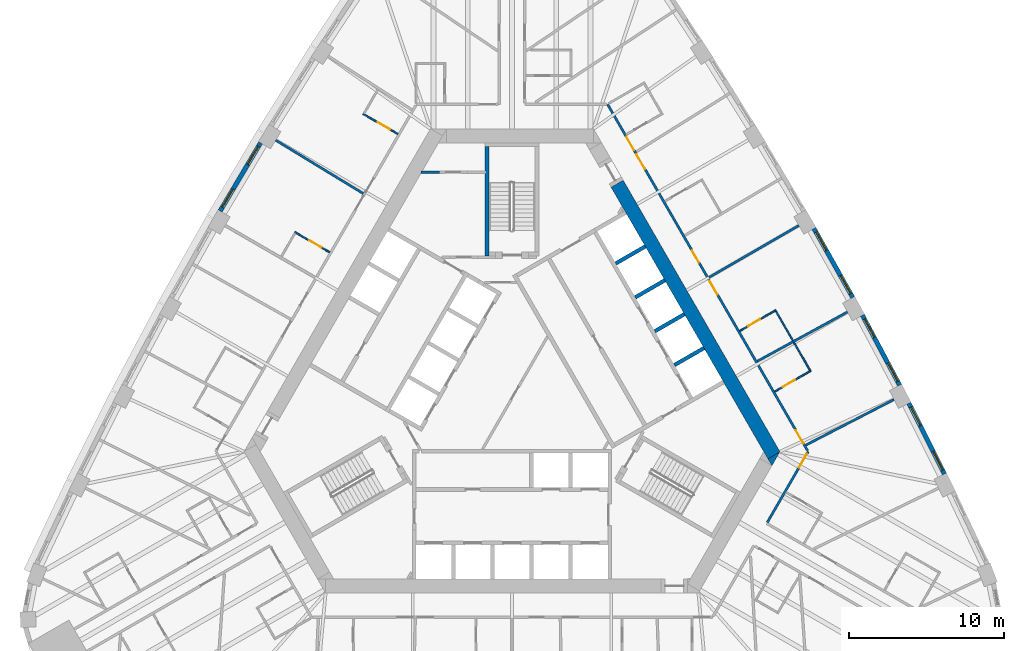
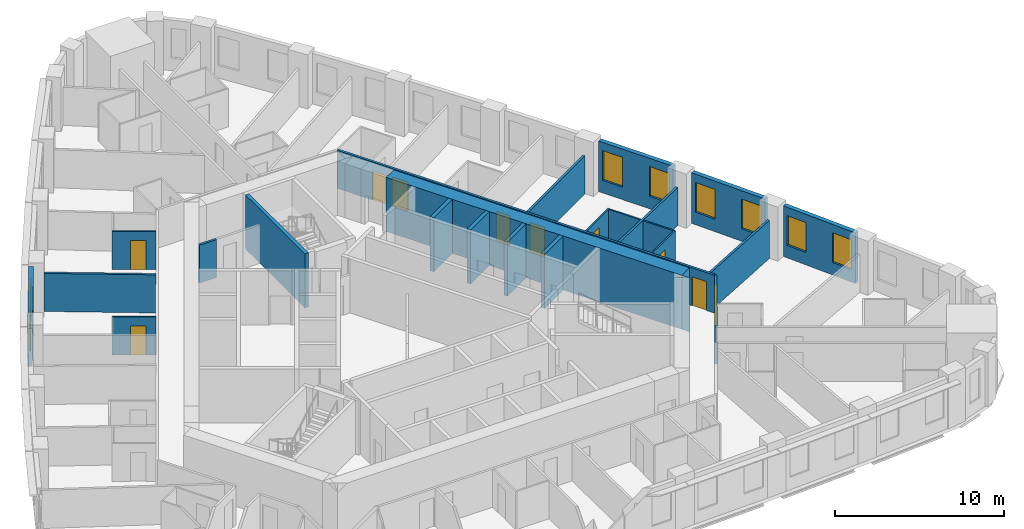
# One storey, part 9 of 13: 24 walls, 10 doors, 8 windows, 18 openings.
"""IFC4 building model written with IfcOpenShell, lengths in metres."""

from ifc_helpers import new_model, si_unit, direction, frame, frame_2d, origin, place, context, subcontext, project, spatial, polyline, rectangle, outline, extrude, material, layer, layer_set, type_object, element, fill, save


model = new_model("IFC4")

# Units and contexts
model_context = context("Model", 3, precision=1e-05, world=origin(), true_north=direction((0.0, 1.0)))
body_context = subcontext(model_context, "Body", "Model", "MODEL_VIEW")
ifc_project = project(units=[si_unit("LENGTHUNIT", "METRE"), si_unit("AREAUNIT", "SQUARE_METRE"), si_unit("VOLUMEUNIT", "CUBIC_METRE"), si_unit("PLANEANGLEUNIT", "RADIAN"), si_unit("MASSUNIT", "GRAM", prefix="KILO")], contexts=[model_context])

# Site, building, storey
site_placement = place(None, origin())
site = spatial("IfcSite", under=ifc_project, at=site_placement, CompositionType="ELEMENT")
building_placement = place(site_placement, origin())
building = spatial("IfcBuilding", under=site, at=building_placement, Name="Mestral Congress Tower", CompositionType="ELEMENT")
storey_placement = place(building_placement, frame((0.0, 0.0, 87.60009765625)))
storey = spatial("IfcBuildingStorey", under=building, at=storey_placement, Name="L20", CompositionType="ELEMENT", Elevation=87.60009765625)

# Walls
ifc_material_1 = material(Name="Fire-rated board partition")
ifc_layer_1 = layer(ifc_material_1, 0.14990234375)
ifc_layer_set_1 = layer_set([ifc_layer_1], Name="Fire-rated board partition")
wall_type_1 = type_object("IfcWallType", Name="Core partition 150", PredefinedType="PARTITIONING", material=ifc_layer_set_1)
wall_1_placement = place(storey_placement, frame((-5.85107421875, 14.10205078125, 0.0), z_axis=(0.0, 0.0, 1.0), x_axis=(1.0, 0.0, 0.0)))
element("IfcWall", 1, at=wall_1_placement, inside=storey, type_object=wall_type_1, Name="L20 core wall", PredefinedType="PARTITIONING", context=body_context, shape_type="SweptSolid", body=[
    extrude(rectangle(XDim=1.18017578125, YDim=0.14990234375, at=frame_2d((0.590087890625, 0.0))), origin(), (0.0, 0.0, 1.0), 2.75),
])
ifc_material_2 = material(Name="Concrete C60/75", Category="concrete")
ifc_layer_2 = layer(ifc_material_2, 0.89990234375)
ifc_layer_set_2 = layer_set([ifc_layer_2], Name="Concrete C60/75")
wall_type_2 = type_object("IfcWallType", Name="Core wall RC 900", PredefinedType="SOLIDWALL", material=ifc_layer_set_2)
wall_2_placement = place(storey_placement, frame((6.77587890625, 13.36376953125, 0.0), z_axis=(0.0, 0.0, 1.0), x_axis=(0.500004177138, -0.8660229921, 0.0)))
element("IfcWall", 2, at=wall_2_placement, inside=storey, type_object=wall_type_2, Name="L20 core wall", PredefinedType="SOLIDWALL", context=body_context, shape_type="SweptSolid", body=[
    extrude(rectangle(XDim=20.203857421875, YDim=0.89990234375, at=frame_2d((10.10205078125, 0.0))), origin(), (0.0, 0.0, 1.0), 3.89990234375),
])
wall_3_placement = place(storey_placement, origin())
element("IfcWall", 3, at=wall_3_placement, inside=storey, type_object=wall_type_2, Name="L20 core wall", PredefinedType="SOLIDWALL", context=body_context, shape_type="SweptSolid", body=[
    extrude(outline(polyline([(16.7431640625, -4.800048828125), (16.4892578125, -4.360107421875), (17.251220703125, -3.920166015625), (16.7431640625, -4.800048828125)])), origin(), (0.0, 0.0, 1.0), 3.89990234375),
])

# Wall, openings, windows
ifc_material_3 = material(Name="Precast concrete C40/50 with limestone facing", Category="masonry")
ifc_layer_3 = layer(ifc_material_3, 0.2900390625)
ifc_layer_set_3 = layer_set([ifc_layer_3], Name="Precast concrete C40/50 with limestone facing")
wall_type_3 = type_object("IfcWallType", Name="Facade stone wall 290", PredefinedType="SOLIDWALL", material=ifc_layer_set_3)
wall_4_placement = place(storey_placement, frame((27.864013671875, -5.336181640625, 0.0), z_axis=(0.0, 0.0, 1.0), x_axis=(-0.448534297211, 0.893765620409, 0.0)))
wall_4 = element("IfcWall", 4, at=wall_4_placement, inside=storey, type_object=wall_type_3, Name="Facade wall F1-01", PredefinedType="SOLIDWALL", context=body_context, shape_type="SweptSolid", body=[
    extrude(rectangle(XDim=5.10009765625, YDim=0.2900390625, at=frame_2d((2.550048828125, 0.0))), origin(), (0.0, 0.0, 1.0), 3.64990234375),
])
opening_1_placement = place(wall_4_placement, frame((0.2724609375, 0.0, 0.89990234375)))
opening_1 = element("IfcOpeningElement", 5, at=opening_1_placement, cuts=wall_4, Name="Opening W2", PredefinedType="OPENING", context=body_context, shape_type="SweptSolid", body=[
    extrude(rectangle(XDim=1.35009765625, YDim=2.14990234375, at=frame_2d((0.675048828125, 1.074951171875))), frame((0.0, 0.155029296875, 0.0), z_axis=(0.0, -1.0, 0.0), x_axis=(1.0, 0.0, 0.0)), (0.0, 0.0, 1.0), 0.31005859375),
])
opening_2_placement = place(wall_4_placement, frame((3.477783203125, 0.0, 0.89990234375)))
opening_2 = element("IfcOpeningElement", 6, at=opening_2_placement, cuts=wall_4, Name="Opening W2", PredefinedType="OPENING", context=body_context, shape_type="SweptSolid", body=[
    extrude(rectangle(XDim=1.35009765625, YDim=2.14990234375, at=frame_2d((0.675048828125, 1.074951171875))), frame((0.0, 0.155029296875, 0.0), z_axis=(0.0, -1.0, 0.0), x_axis=(1.0, 0.0, 0.0)), (0.0, 0.0, 1.0), 0.31005859375),
])
ifc_material_4 = material(Name="Clear low-emissivity double glazing", Category="glass")
window_type = type_object("IfcWindowType", Name="Facade punched window 1350 x 2150 sill 900", PartitioningType="DOUBLE_PANEL_VERTICAL", PredefinedType="WINDOW", material=ifc_material_4)
window_1_placement = place(opening_1_placement, origin())
window_1 = element("IfcWindow", 7, at=window_1_placement, inside=storey, type_object=window_type, Name="Window F1-01a", OverallHeight=2.14990234375, OverallWidth=1.35009765625, PartitioningType="DOUBLE_PANEL_VERTICAL", PredefinedType="WINDOW", context=body_context, shape_type="SweptSolid", body=[
    extrude(rectangle(XDim=1.35009765625, YDim=2.14990234375, at=frame_2d((0.675048828125, 1.074951171875))), frame((0.0, 0.01513671875, 0.0), z_axis=(0.0, -1.0, 0.0), x_axis=(1.0, 0.0, 0.0)), (0.0, 0.0, 1.0), 0.06005859375),
])
fill(opening_1, window_1)
window_2_placement = place(opening_2_placement, origin())
window_2 = element("IfcWindow", 8, at=window_2_placement, inside=storey, type_object=window_type, Name="Window F1-01b", OverallHeight=2.14990234375, OverallWidth=1.35009765625, PartitioningType="DOUBLE_PANEL_VERTICAL", PredefinedType="WINDOW", context=body_context, shape_type="SweptSolid", body=[
    extrude(rectangle(XDim=1.35009765625, YDim=2.14990234375, at=frame_2d((0.675048828125, 1.074951171875))), frame((0.0, 0.01513671875, 0.0), z_axis=(0.0, -1.0, 0.0), x_axis=(1.0, 0.0, 0.0)), (0.0, 0.0, 1.0), 0.06005859375),
])
fill(opening_2, window_2)

wall_5_placement = place(storey_placement, frame((24.976806640625, 0.3828125, 0.0), z_axis=(0.0, 0.0, 1.0), x_axis=(-0.469323203119, 0.883026461106, 0.0)))
wall_5 = element("IfcWall", 9, at=wall_5_placement, inside=storey, type_object=wall_type_3, Name="Facade wall F1-02", PredefinedType="SOLIDWALL", context=body_context, shape_type="SweptSolid", body=[
    extrude(rectangle(XDim=5.1005859375, YDim=0.2900390625, at=frame_2d((2.55029296875, 0.0))), origin(), (0.0, 0.0, 1.0), 3.64990234375),
])
opening_3_placement = place(wall_5_placement, frame((0.272705078125, 0.0, 0.89990234375)))
opening_3 = element("IfcOpeningElement", 10, at=opening_3_placement, cuts=wall_5, Name="Opening W2", PredefinedType="OPENING", context=body_context, shape_type="SweptSolid", body=[
    extrude(rectangle(XDim=1.35009765625, YDim=2.14990234375, at=frame_2d((0.675048828125, 1.074951171875))), frame((0.0, 0.155029296875, 0.0), z_axis=(0.0, -1.0, 0.0), x_axis=(1.0, 0.0, 0.0)), (0.0, 0.0, 1.0), 0.31005859375),
])
opening_4_placement = place(wall_5_placement, frame((3.477783203125, 0.0, 0.89990234375)))
opening_4 = element("IfcOpeningElement", 11, at=opening_4_placement, cuts=wall_5, Name="Opening W2", PredefinedType="OPENING", context=body_context, shape_type="SweptSolid", body=[
    extrude(rectangle(XDim=1.35009765625, YDim=2.14990234375, at=frame_2d((0.675048828125, 1.074951171875))), frame((0.0, 0.155029296875, 0.0), z_axis=(0.0, -1.0, 0.0), x_axis=(1.0, 0.0, 0.0)), (0.0, 0.0, 1.0), 0.31005859375),
])
window_3_placement = place(opening_3_placement, origin())
window_3 = element("IfcWindow", 12, at=window_3_placement, inside=storey, type_object=window_type, Name="Window F1-02a", OverallHeight=2.14990234375, OverallWidth=1.35009765625, PartitioningType="DOUBLE_PANEL_VERTICAL", PredefinedType="WINDOW", context=body_context, shape_type="SweptSolid", body=[
    extrude(rectangle(XDim=1.35009765625, YDim=2.14990234375, at=frame_2d((0.675048828125, 1.074951171875))), frame((0.0, 0.01513671875, 0.0), z_axis=(0.0, -1.0, 0.0), x_axis=(1.0, 0.0, 0.0)), (0.0, 0.0, 1.0), 0.06005859375),
])
fill(opening_3, window_3)
window_4_placement = place(opening_4_placement, origin())
window_4 = element("IfcWindow", 13, at=window_4_placement, inside=storey, type_object=window_type, Name="Window F1-02b", OverallHeight=2.14990234375, OverallWidth=1.35009765625, PartitioningType="DOUBLE_PANEL_VERTICAL", PredefinedType="WINDOW", context=body_context, shape_type="SweptSolid", body=[
    extrude(rectangle(XDim=1.35009765625, YDim=2.14990234375, at=frame_2d((0.675048828125, 1.074951171875))), frame((0.0, 0.01513671875, 0.0), z_axis=(0.0, -1.0, 0.0), x_axis=(1.0, 0.0, 0.0)), (0.0, 0.0, 1.0), 0.06005859375),
])
fill(opening_4, window_4)

wall_6_placement = place(storey_placement, frame((21.956298828125, 6.033203125, 0.0), z_axis=(0.0, 0.0, 1.0), x_axis=(-0.48983164787, 0.87181704316, 0.0)))
wall_6 = element("IfcWall", 14, at=wall_6_placement, inside=storey, type_object=wall_type_3, Name="Facade wall F1-03", PredefinedType="SOLIDWALL", context=body_context, shape_type="SweptSolid", body=[
    extrude(rectangle(XDim=5.100341796875, YDim=0.2900390625, at=frame_2d((2.55029296875, 0.0))), origin(), (0.0, 0.0, 1.0), 3.64990234375),
])
opening_5_placement = place(wall_6_placement, frame((0.272705078125, 0.0, 0.89990234375)))
opening_5 = element("IfcOpeningElement", 15, at=opening_5_placement, cuts=wall_6, Name="Opening W2", PredefinedType="OPENING", context=body_context, shape_type="SweptSolid", body=[
    extrude(rectangle(XDim=1.35009765625, YDim=2.14990234375, at=frame_2d((0.675048828125, 1.074951171875))), frame((0.0, 0.155029296875, 0.0), z_axis=(0.0, -1.0, 0.0), x_axis=(1.0, 0.0, 0.0)), (0.0, 0.0, 1.0), 0.31005859375),
])
opening_6_placement = place(wall_6_placement, frame((3.477783203125, 0.0, 0.89990234375)))
opening_6 = element("IfcOpeningElement", 16, at=opening_6_placement, cuts=wall_6, Name="Opening W2", PredefinedType="OPENING", context=body_context, shape_type="SweptSolid", body=[
    extrude(rectangle(XDim=1.35009765625, YDim=2.14990234375, at=frame_2d((0.675048828125, 1.074951171875))), frame((0.0, 0.155029296875, 0.0), z_axis=(0.0, -1.0, 0.0), x_axis=(1.0, 0.0, 0.0)), (0.0, 0.0, 1.0), 0.31005859375),
])
window_5_placement = place(opening_5_placement, origin())
window_5 = element("IfcWindow", 17, at=window_5_placement, inside=storey, type_object=window_type, Name="Window F1-03a", OverallHeight=2.14990234375, OverallWidth=1.35009765625, PartitioningType="DOUBLE_PANEL_VERTICAL", PredefinedType="WINDOW", context=body_context, shape_type="SweptSolid", body=[
    extrude(rectangle(XDim=1.35009765625, YDim=2.14990234375, at=frame_2d((0.675048828125, 1.074951171875))), frame((0.0, 0.01513671875, 0.0), z_axis=(0.0, -1.0, 0.0), x_axis=(1.0, 0.0, 0.0)), (0.0, 0.0, 1.0), 0.06005859375),
])
fill(opening_5, window_5)
window_6_placement = place(opening_6_placement, origin())
window_6 = element("IfcWindow", 18, at=window_6_placement, inside=storey, type_object=window_type, Name="Window F1-03b", OverallHeight=2.14990234375, OverallWidth=1.35009765625, PartitioningType="DOUBLE_PANEL_VERTICAL", PredefinedType="WINDOW", context=body_context, shape_type="SweptSolid", body=[
    extrude(rectangle(XDim=1.35009765625, YDim=2.14990234375, at=frame_2d((0.675048828125, 1.074951171875))), frame((0.0, 0.01513671875, 0.0), z_axis=(0.0, -1.0, 0.0), x_axis=(1.0, 0.0, 0.0)), (0.0, 0.0, 1.0), 0.06005859375),
])
fill(opening_6, window_6)

wall_7_placement = place(storey_placement, frame((-16.203125, 15.998291015625, 0.0), z_axis=(0.0, 0.0, 1.0), x_axis=(-0.510054281659, -0.860142214847, 0.0)))
wall_7 = element("IfcWall", 19, at=wall_7_placement, inside=storey, type_object=wall_type_3, Name="Facade wall F2-03", PredefinedType="SOLIDWALL", context=body_context, shape_type="SweptSolid", body=[
    extrude(rectangle(XDim=5.1005859375, YDim=0.2900390625, at=frame_2d((2.55029296875, 0.0))), origin(), (0.0, 0.0, 1.0), 3.64990234375),
])
opening_7_placement = place(wall_7_placement, frame((0.272705078125, 0.0, 0.89990234375)))
opening_7 = element("IfcOpeningElement", 20, at=opening_7_placement, cuts=wall_7, Name="Opening W2", PredefinedType="OPENING", context=body_context, shape_type="SweptSolid", body=[
    extrude(rectangle(XDim=1.35009765625, YDim=2.14990234375, at=frame_2d((0.675048828125, 1.074951171875))), frame((0.0, 0.155029296875, 0.0), z_axis=(0.0, -1.0, 0.0), x_axis=(1.0, 0.0, 0.0)), (0.0, 0.0, 1.0), 0.31005859375),
])
opening_8_placement = place(wall_7_placement, frame((3.477783203125, 0.0, 0.89990234375)))
opening_8 = element("IfcOpeningElement", 21, at=opening_8_placement, cuts=wall_7, Name="Opening W2", PredefinedType="OPENING", context=body_context, shape_type="SweptSolid", body=[
    extrude(rectangle(XDim=1.35009765625, YDim=2.14990234375, at=frame_2d((0.675048828125, 1.074951171875))), frame((0.0, 0.155029296875, 0.0), z_axis=(0.0, -1.0, 0.0), x_axis=(1.0, 0.0, 0.0)), (0.0, 0.0, 1.0), 0.31005859375),
])
window_7_placement = place(opening_7_placement, origin())
window_7 = element("IfcWindow", 22, at=window_7_placement, inside=storey, type_object=window_type, Name="Window F2-03a", OverallHeight=2.14990234375, OverallWidth=1.35009765625, PartitioningType="DOUBLE_PANEL_VERTICAL", PredefinedType="WINDOW", context=body_context, shape_type="SweptSolid", body=[
    extrude(rectangle(XDim=1.35009765625, YDim=2.14990234375, at=frame_2d((0.675048828125, 1.074951171875))), frame((0.0, 0.01513671875, 0.0), z_axis=(0.0, -1.0, 0.0), x_axis=(1.0, 0.0, 0.0)), (0.0, 0.0, 1.0), 0.06005859375),
])
fill(opening_7, window_7)
window_8_placement = place(opening_8_placement, origin())
window_8 = element("IfcWindow", 23, at=window_8_placement, inside=storey, type_object=window_type, Name="Window F2-03b", OverallHeight=2.14990234375, OverallWidth=1.35009765625, PartitioningType="DOUBLE_PANEL_VERTICAL", PredefinedType="WINDOW", context=body_context, shape_type="SweptSolid", body=[
    extrude(rectangle(XDim=1.35009765625, YDim=2.14990234375, at=frame_2d((0.675048828125, 1.074951171875))), frame((0.0, 0.01513671875, 0.0), z_axis=(0.0, -1.0, 0.0), x_axis=(1.0, 0.0, 0.0)), (0.0, 0.0, 1.0), 0.06005859375),
])
fill(opening_8, window_8)

# Wall, opening, door
ifc_material_5 = material(Name="Gypsum board partition on metal studs with mineral wool", Category="composite")
ifc_layer_4 = layer(ifc_material_5, 0.10009765625)
ifc_layer_set_4 = layer_set([ifc_layer_4], Name="Gypsum board partition on metal studs with mineral wool")
wall_type_4 = type_object("IfcWallType", Name="Hotel partition wall 100", PredefinedType="PARTITIONING", material=ifc_layer_set_4)
wall_8_placement = place(storey_placement, frame((16.931396484375, -0.02587890625, 0.0), z_axis=(0.0, 0.0, 1.0), x_axis=(0.866059108428, 0.4999416173, 0.0)))
wall_8 = element("IfcWall", 24, at=wall_8_placement, inside=storey, type_object=wall_type_4, Name="L20-h-pod12a", PredefinedType="PARTITIONING", context=body_context, shape_type="SweptSolid", body=[
    extrude(rectangle(XDim=2.699951171875, YDim=0.10009765625, at=frame_2d((1.35009765625, 0.0))), origin(), (0.0, 0.0, 1.0), 2.75),
])
opening_9_placement = place(wall_8_placement, frame((0.60009765625, 0.0, 0.0)))
opening_9 = element("IfcOpeningElement", 25, at=opening_9_placement, cuts=wall_8, Name="Opening H06-023", PredefinedType="OPENING", context=body_context, shape_type="SweptSolid", body=[
    extrude(rectangle(XDim=0.89990234375, YDim=2.10009765625, at=frame_2d((0.449951171875, 1.050048828125))), frame((0.0, 0.06005859375, 0.0), z_axis=(0.0, -1.0, 0.0), x_axis=(1.0, 0.0, 0.0)), (0.0, 0.0, 1.0), 0.1201171875),
])
ifc_material_6 = material(Name="Timber veneer door leaf in timber frame", Category="wood")
door_type_1 = type_object("IfcDoorType", Name="Bathroom door 900", OperationType="SINGLE_SWING_LEFT", PredefinedType="DOOR", material=ifc_material_6)
door_1_placement = place(opening_9_placement, origin())
door_1 = element("IfcDoor", 26, at=door_1_placement, inside=storey, type_object=door_type_1, Name="L20-h-d023", OperationType="SINGLE_SWING_RIGHT", OverallHeight=2.10009765625, OverallWidth=0.89990234375, PredefinedType="DOOR", context=body_context, shape_type="SweptSolid", body=[
    extrude(rectangle(XDim=0.89990234375, YDim=2.10009765625, at=frame_2d((0.449951171875, 1.050048828125))), frame((0.0, 0.02490234375, 0.0), z_axis=(0.0, -1.0, 0.0), x_axis=(1.0, 0.0, 0.0)), (0.0, 0.0, 1.0), 0.050048828125),
])
fill(opening_9, door_1)

# Wall
wall_9_placement = place(storey_placement, frame((19.1962890625, 1.350830078125, 0.0), z_axis=(0.0, 0.0, 1.0), x_axis=(-0.499956128963, 0.866050731258, 0.0)))
element("IfcWall", 27, at=wall_9_placement, inside=storey, type_object=wall_type_4, Name="L20-h-pod12b", PredefinedType="PARTITIONING", context=body_context, shape_type="SweptSolid", body=[
    extrude(rectangle(XDim=2.050048828125, YDim=0.10009765625, at=frame_2d((1.02490234375, 0.0))), origin(), (0.0, 0.0, 1.0), 2.75),
])

# Wall, opening, door
wall_10_placement = place(storey_placement, frame((17.015625, 5.22802734375, 0.0), z_axis=(0.0, 0.0, 1.0), x_axis=(-0.86599734893, -0.500048589285, 0.0)))
wall_10 = element("IfcWall", 28, at=wall_10_placement, inside=storey, type_object=wall_type_4, Name="L20-h-pod13a", PredefinedType="PARTITIONING", context=body_context, shape_type="SweptSolid", body=[
    extrude(rectangle(XDim=2.699951171875, YDim=0.10009765625, at=frame_2d((1.35009765625, 0.0))), origin(), (0.0, 0.0, 1.0), 2.75),
])
opening_10_placement = place(wall_10_placement, frame((1.199951171875, 0.0, 0.0)))
opening_10 = element("IfcOpeningElement", 29, at=opening_10_placement, cuts=wall_10, Name="Opening H06-025", PredefinedType="OPENING", context=body_context, shape_type="SweptSolid", body=[
    extrude(rectangle(XDim=0.89990234375, YDim=2.10009765625, at=frame_2d((0.449951171875, 1.050048828125))), frame((0.0, 0.06005859375, 0.0), z_axis=(0.0, -1.0, 0.0), x_axis=(1.0, 0.0, 0.0)), (0.0, 0.0, 1.0), 0.1201171875),
])
door_2_placement = place(opening_10_placement, origin())
door_2 = element("IfcDoor", 30, at=door_2_placement, inside=storey, type_object=door_type_1, Name="L20-h-d025", OperationType="SINGLE_SWING_LEFT", OverallHeight=2.10009765625, OverallWidth=0.89990234375, PredefinedType="DOOR", context=body_context, shape_type="SweptSolid", body=[
    extrude(rectangle(XDim=0.89990234375, YDim=2.10009765625, at=frame_2d((0.449951171875, 1.050048828125))), frame((0.0, 0.02490234375, 0.0), z_axis=(0.0, -1.0, 0.0), x_axis=(1.0, 0.0, 0.0)), (0.0, 0.0, 1.0), 0.050048828125),
])
fill(opening_10, door_2)

# Wall
wall_11_placement = place(storey_placement, frame((16.997314453125, 5.15966796875, 0.0), z_axis=(0.0, 0.0, 1.0), x_axis=(0.500011965869, -0.866018495177, 0.0)))
element("IfcWall", 31, at=wall_11_placement, inside=storey, type_object=wall_type_4, Name="L20-h-pod13b", PredefinedType="PARTITIONING", context=body_context, shape_type="SweptSolid", body=[
    extrude(rectangle(XDim=2.18994140625, YDim=0.10009765625, at=frame_2d((1.094970703125, 0.0))), origin(), (0.0, 0.0, 1.0), 2.75),
])

# Wall, opening, door
wall_12_placement = place(storey_placement, frame((-9.602783203125, 17.86767578125, 0.0), z_axis=(0.0, 0.0, 1.0), x_axis=(0.866021400173, -0.500006934395, 0.0)))
wall_12 = element("IfcWall", 32, at=wall_12_placement, inside=storey, type_object=wall_type_4, Name="L20-h-pod21a", PredefinedType="PARTITIONING", context=body_context, shape_type="SweptSolid", body=[
    extrude(rectangle(XDim=2.60009765625, YDim=0.10009765625, at=frame_2d((1.300048828125, 0.0))), origin(), (0.0, 0.0, 1.0), 2.75),
])
opening_11_placement = place(wall_12_placement, frame((1.10009765625, 0.0, 0.0)))
opening_11 = element("IfcOpeningElement", 33, at=opening_11_placement, cuts=wall_12, Name="Opening H06-040", PredefinedType="OPENING", context=body_context, shape_type="SweptSolid", body=[
    extrude(rectangle(XDim=0.89990234375, YDim=2.10009765625, at=frame_2d((0.449951171875, 1.050048828125))), frame((0.0, 0.06005859375, 0.0), z_axis=(0.0, -1.0, 0.0), x_axis=(1.0, 0.0, 0.0)), (0.0, 0.0, 1.0), 0.1201171875),
])
door_3_placement = place(opening_11_placement, origin())
door_3 = element("IfcDoor", 34, at=door_3_placement, inside=storey, type_object=door_type_1, Name="L20-h-d040", OperationType="SINGLE_SWING_RIGHT", OverallHeight=2.10009765625, OverallWidth=0.89990234375, PredefinedType="DOOR", context=body_context, shape_type="SweptSolid", body=[
    extrude(rectangle(XDim=0.89990234375, YDim=2.10009765625, at=frame_2d((0.449951171875, 1.050048828125))), frame((0.0, 0.02490234375, 0.0), z_axis=(0.0, -1.0, 0.0), x_axis=(1.0, 0.0, 0.0)), (0.0, 0.0, 1.0), 0.050048828125),
])
fill(opening_11, door_3)

wall_13_placement = place(storey_placement, frame((-11.74951171875, 8.949462890625, 0.0), z_axis=(0.0, 0.0, 1.0), x_axis=(-0.865997922154, 0.500047596559, 0.0)))
wall_13 = element("IfcWall", 35, at=wall_13_placement, inside=storey, type_object=wall_type_4, Name="L20-h-pod22a", PredefinedType="PARTITIONING", context=body_context, shape_type="SweptSolid", body=[
    extrude(rectangle(XDim=2.599853515625, YDim=0.10009765625, at=frame_2d((1.2998046875, 0.0))), origin(), (0.0, 0.0, 1.0), 2.75),
])
opening_12_placement = place(wall_13_placement, frame((0.60009765625, 0.0, 0.0)))
opening_12 = element("IfcOpeningElement", 36, at=opening_12_placement, cuts=wall_13, Name="Opening H06-042", PredefinedType="OPENING", context=body_context, shape_type="SweptSolid", body=[
    extrude(rectangle(XDim=0.89990234375, YDim=2.10009765625, at=frame_2d((0.449951171875, 1.050048828125))), frame((0.0, 0.06005859375, 0.0), z_axis=(0.0, -1.0, 0.0), x_axis=(1.0, 0.0, 0.0)), (0.0, 0.0, 1.0), 0.1201171875),
])
door_4_placement = place(opening_12_placement, origin())
door_4 = element("IfcDoor", 37, at=door_4_placement, inside=storey, type_object=door_type_1, Name="L20-h-d042", OperationType="SINGLE_SWING_LEFT", OverallHeight=2.10009765625, OverallWidth=0.89990234375, PredefinedType="DOOR", context=body_context, shape_type="SweptSolid", body=[
    extrude(rectangle(XDim=0.89990234375, YDim=2.10009765625, at=frame_2d((0.449951171875, 1.050048828125))), frame((0.0, 0.02490234375, 0.0), z_axis=(0.0, -1.0, 0.0), x_axis=(1.0, 0.0, 0.0)), (0.0, 0.0, 1.0), 0.050048828125),
])
fill(opening_12, door_4)

ifc_layer_5 = layer(ifc_material_5, 0.14990234375)
ifc_layer_set_5 = layer_set([ifc_layer_5], Name="Gypsum board partition on metal studs with mineral wool")
wall_type_5 = type_object("IfcWallType", Name="Hotel partition wall 150", PredefinedType="PARTITIONING", material=ifc_layer_set_5)
wall_14_placement = place(storey_placement, frame((19.081298828125, -3.89990234375, 0.0), z_axis=(0.0, 0.0, 1.0), x_axis=(-0.499974327079, -0.866040225545, 0.0)))
wall_14 = element("IfcWall", 38, at=wall_14_placement, inside=storey, type_object=wall_type_5, Name="L20-h-cw02", PredefinedType="PARTITIONING", context=body_context, shape_type="SweptSolid", body=[
    extrude(rectangle(XDim=5.258056640625, YDim=0.14990234375, at=frame_2d((2.62890625, 0.0))), origin(), (0.0, 0.0, 1.0), 2.75),
])
opening_13_placement = place(wall_14_placement, frame((0.179931640625, 0.0, 0.0)))
opening_13 = element("IfcOpeningElement", 39, at=opening_13_placement, cuts=wall_14, Name="Opening H06-020", PredefinedType="OPENING", context=body_context, shape_type="SweptSolid", body=[
    extrude(rectangle(XDim=1.0, YDim=2.10009765625, at=frame_2d((0.5, 1.050048828125))), frame((0.0, 0.0849609375, 0.0), z_axis=(0.0, -1.0, 0.0), x_axis=(1.0, 0.0, 0.0)), (0.0, 0.0, 1.0), 0.169921875),
])
ifc_material_7 = material(Name="Timber veneer door leaf in metal frame", Category="wood")
door_type_2 = type_object("IfcDoorType", Name="Guest room entrance door 1000", OperationType="SINGLE_SWING_LEFT", PredefinedType="DOOR", material=ifc_material_7)
door_5_placement = place(opening_13_placement, origin())
door_5 = element("IfcDoor", 40, at=door_5_placement, inside=storey, type_object=door_type_2, Name="L20-h-d020", OperationType="SINGLE_SWING_LEFT", OverallHeight=2.10009765625, OverallWidth=1.0, PredefinedType="DOOR", context=body_context, shape_type="SweptSolid", body=[
    extrude(rectangle(XDim=1.0, YDim=2.10009765625, at=frame_2d((0.5, 1.050048828125))), frame((0.0, 0.02490234375, 0.0), z_axis=(0.0, -1.0, 0.0), x_axis=(1.0, 0.0, 0.0)), (0.0, 0.0, 1.0), 0.050048828125),
])
fill(opening_13, door_5)

# Wall, openings, doors
wall_15_placement = place(storey_placement, frame((6.1630859375, 18.47509765625, 0.0), z_axis=(0.0, 0.0, 1.0), x_axis=(0.500001317485, -0.866024643133, 0.0)))
wall_15 = element("IfcWall", 41, at=wall_15_placement, inside=storey, type_object=wall_type_5, Name="L20-h-cw03", PredefinedType="PARTITIONING", context=body_context, shape_type="SweptSolid", body=[
    extrude(rectangle(XDim=25.7666015625, YDim=0.14990234375, at=frame_2d((12.88330078125, 0.0))), origin(), (0.0, 0.0, 1.0), 2.75),
])
opening_14_placement = place(wall_15_placement, frame((24.24072265625, 0.0, 0.0)))
opening_14 = element("IfcOpeningElement", 42, at=opening_14_placement, cuts=wall_15, Name="Opening H06-022", PredefinedType="OPENING", context=body_context, shape_type="SweptSolid", body=[
    extrude(rectangle(XDim=1.0, YDim=2.10009765625, at=frame_2d((0.5, 1.050048828125))), frame((0.0, 0.0849609375, 0.0), z_axis=(0.0, -1.0, 0.0), x_axis=(1.0, 0.0, 0.0)), (0.0, 0.0, 1.0), 0.169921875),
])
opening_15_placement = place(wall_15_placement, frame((13.143798828125, 0.0, 0.0)))
opening_15 = element("IfcOpeningElement", 43, at=opening_15_placement, cuts=wall_15, Name="Opening H06-024", PredefinedType="OPENING", context=body_context, shape_type="SweptSolid", body=[
    extrude(rectangle(XDim=1.0, YDim=2.10009765625, at=frame_2d((0.5, 1.050048828125))), frame((0.0, 0.0849609375, 0.0), z_axis=(0.0, -1.0, 0.0), x_axis=(1.0, 0.0, 0.0)), (0.0, 0.0, 1.0), 0.169921875),
])
opening_16_placement = place(wall_15_placement, frame((10.873779296875, 0.0, 0.0)))
opening_16 = element("IfcOpeningElement", 44, at=opening_16_placement, cuts=wall_15, Name="Opening H06-026", PredefinedType="OPENING", context=body_context, shape_type="SweptSolid", body=[
    extrude(rectangle(XDim=0.89990234375, YDim=2.10009765625, at=frame_2d((0.449951171875, 1.050048828125))), frame((0.0, 0.0849609375, 0.0), z_axis=(0.0, -1.0, 0.0), x_axis=(1.0, 0.0, 0.0)), (0.0, 0.0, 1.0), 0.169921875),
])
opening_17_placement = place(wall_15_placement, frame((3.718017578125, 0.0, 0.0)))
opening_17 = element("IfcOpeningElement", 45, at=opening_17_placement, cuts=wall_15, Name="Opening H06-027", PredefinedType="OPENING", context=body_context, shape_type="SweptSolid", body=[
    extrude(rectangle(XDim=1.10009765625, YDim=2.10009765625, at=frame_2d((0.550048828125, 1.050048828125))), frame((0.0, 0.0849609375, 0.0), z_axis=(0.0, -1.0, 0.0), x_axis=(1.0, 0.0, 0.0)), (0.0, 0.0, 1.0), 0.169921875),
])
opening_18_placement = place(wall_15_placement, frame((2.410888671875, 0.0, 0.0)))
opening_18 = element("IfcOpeningElement", 46, at=opening_18_placement, cuts=wall_15, Name="Opening H06-029", PredefinedType="OPENING", context=body_context, shape_type="SweptSolid", body=[
    extrude(rectangle(XDim=1.0, YDim=2.10009765625, at=frame_2d((0.5, 1.050048828125))), frame((0.0, 0.0849609375, 0.0), z_axis=(0.0, -1.0, 0.0), x_axis=(1.0, 0.0, 0.0)), (0.0, 0.0, 1.0), 0.169921875),
])
door_type_3 = type_object("IfcDoorType", Name="Accessible room entrance door 1100", OperationType="SINGLE_SWING_LEFT", PredefinedType="DOOR", material=ifc_material_7)
door_6_placement = place(opening_17_placement, origin())
door_6 = element("IfcDoor", 47, at=door_6_placement, inside=storey, type_object=door_type_3, Name="L20-h-d027", OperationType="SINGLE_SWING_LEFT", OverallHeight=2.10009765625, OverallWidth=1.10009765625, PredefinedType="DOOR", context=body_context, shape_type="SweptSolid", body=[
    extrude(rectangle(XDim=1.10009765625, YDim=2.10009765625, at=frame_2d((0.550048828125, 1.050048828125))), frame((0.0, 0.02490234375, 0.0), z_axis=(0.0, -1.0, 0.0), x_axis=(1.0, 0.0, 0.0)), (0.0, 0.0, 1.0), 0.050048828125),
])
fill(opening_17, door_6)
door_7_placement = place(opening_14_placement, origin())
door_7 = element("IfcDoor", 48, at=door_7_placement, inside=storey, type_object=door_type_2, Name="L20-h-d022", OperationType="SINGLE_SWING_RIGHT", OverallHeight=2.10009765625, OverallWidth=1.0, PredefinedType="DOOR", context=body_context, shape_type="SweptSolid", body=[
    extrude(rectangle(XDim=1.0, YDim=2.10009765625, at=frame_2d((0.5, 1.050048828125))), frame((0.0, 0.02490234375, 0.0), z_axis=(0.0, -1.0, 0.0), x_axis=(1.0, 0.0, 0.0)), (0.0, 0.0, 1.0), 0.050048828125),
])
fill(opening_14, door_7)
door_8_placement = place(opening_15_placement, origin())
door_8 = element("IfcDoor", 49, at=door_8_placement, inside=storey, type_object=door_type_2, Name="L20-h-d024", OperationType="SINGLE_SWING_LEFT", OverallHeight=2.10009765625, OverallWidth=1.0, PredefinedType="DOOR", context=body_context, shape_type="SweptSolid", body=[
    extrude(rectangle(XDim=1.0, YDim=2.10009765625, at=frame_2d((0.5, 1.050048828125))), frame((0.0, 0.02490234375, 0.0), z_axis=(0.0, -1.0, 0.0), x_axis=(1.0, 0.0, 0.0)), (0.0, 0.0, 1.0), 0.050048828125),
])
fill(opening_15, door_8)
door_9_placement = place(opening_18_placement, origin())
door_9 = element("IfcDoor", 50, at=door_9_placement, inside=storey, type_object=door_type_2, Name="L20-h-d029", OperationType="SINGLE_SWING_RIGHT", OverallHeight=2.10009765625, OverallWidth=1.0, PredefinedType="DOOR", context=body_context, shape_type="SweptSolid", body=[
    extrude(rectangle(XDim=1.0, YDim=2.10009765625, at=frame_2d((0.5, 1.050048828125))), frame((0.0, 0.02490234375, 0.0), z_axis=(0.0, -1.0, 0.0), x_axis=(1.0, 0.0, 0.0)), (0.0, 0.0, 1.0), 0.050048828125),
])
fill(opening_18, door_9)
door_type_4 = type_object("IfcDoorType", Name="Service room door 900", OperationType="SINGLE_SWING_LEFT", PredefinedType="DOOR", material=ifc_material_7)
door_10_placement = place(opening_16_placement, origin())
door_10 = element("IfcDoor", 51, at=door_10_placement, inside=storey, type_object=door_type_4, Name="L20-h-d026", OperationType="SINGLE_SWING_RIGHT", OverallHeight=2.10009765625, OverallWidth=0.89990234375, PredefinedType="DOOR", context=body_context, shape_type="SweptSolid", body=[
    extrude(rectangle(XDim=0.89990234375, YDim=2.10009765625, at=frame_2d((0.449951171875, 1.050048828125))), frame((0.0, 0.02490234375, 0.0), z_axis=(0.0, -1.0, 0.0), x_axis=(1.0, 0.0, 0.0)), (0.0, 0.0, 1.0), 0.050048828125),
])
fill(opening_16, door_10)

# Walls
wall_16_placement = place(storey_placement, frame((-15.22509765625, 16.16748046875, 0.0), z_axis=(0.0, 0.0, 1.0), x_axis=(0.854088713274, -0.520127359266, 0.0)))
element("IfcWall", 52, at=wall_16_placement, inside=storey, type_object=wall_type_5, Name="L20-h-pw10", PredefinedType="PARTITIONING", context=body_context, shape_type="SweptSolid", body=[
    extrude(rectangle(XDim=6.61083984375, YDim=0.14990234375, at=frame_2d((3.305419921875, 0.0))), origin(), (0.0, 0.0, 1.0), 2.75),
])
wall_17_placement = place(storey_placement, frame((18.484130859375, 10.671875, 0.0), z_axis=(0.0, 0.0, 1.0), x_axis=(-0.866019162053, -0.50001081084, 0.0)))
element("IfcWall", 53, at=wall_17_placement, inside=storey, type_object=wall_type_5, Name="L20-h-pw23", PredefinedType="PARTITIONING", context=body_context, shape_type="SweptSolid", body=[
    extrude(rectangle(XDim=6.693603515625, YDim=0.14990234375, at=frame_2d((3.3466796875, 0.0))), origin(), (0.0, 0.0, 1.0), 2.75),
])
wall_18_placement = place(storey_placement, frame((21.614013671875, 5.1015625, 0.0), z_axis=(0.0, 0.0, 1.0), x_axis=(-0.877484555087, -0.479604895287, 0.0)))
element("IfcWall", 54, at=wall_18_placement, inside=storey, type_object=wall_type_5, Name="L20-h-pw25", PredefinedType="PARTITIONING", context=body_context, shape_type="SweptSolid", body=[
    extrude(rectangle(XDim=6.611083984375, YDim=0.14990234375, at=frame_2d((3.3056640625, 0.0))), origin(), (0.0, 0.0, 1.0), 2.75),
])
wall_19_placement = place(storey_placement, frame((24.612548828125, -0.54052734375, 0.0), z_axis=(0.0, 0.0, 1.0), x_axis=(-0.888459912519, -0.458954228487, 0.0)))
element("IfcWall", 55, at=wall_19_placement, inside=storey, type_object=wall_type_5, Name="L20-h-pw27", PredefinedType="PARTITIONING", context=body_context, shape_type="SweptSolid", body=[
    extrude(rectangle(XDim=6.391845703125, YDim=0.14990234375, at=frame_2d((3.19580078125, 0.0))), origin(), (0.0, 0.0, 1.0), 2.75),
])
ifc_layer_6 = layer(ifc_material_2, 0.25)
ifc_layer_set_6 = layer_set([ifc_layer_6], Name="Concrete C60/75")
wall_type_6 = type_object("IfcWallType", Name="Shaft wall RC 250", PredefinedType="SOLIDWALL", material=ifc_layer_set_6)
for number, where, z_axis, x_axis, name in (
    (56, (10.463623046875, 1.676513671875, 0.0), (0.0, 0.0, 1.0), (0.86605622881, 0.499946605688, 0.0), "L20 core wall"),
    (57, (6.68359375, 8.2236328125, 0.0), (0.0, 0.0, 1.0), (0.86605622881, 0.499946605688, 0.0), "L20 core wall"),
    (58, (7.943603515625, 6.041259765625, 0.0), (0.0, 0.0, 1.0), (0.86605622881, 0.499946605688, 0.0), "L20 core wall"),
    (59, (9.20361328125, 3.85888671875, 0.0), (0.0, 0.0, 1.0), (0.86605622881, 0.499946605688, 0.0), "L20 core wall"),
):
    element("IfcWall", number, at=place(storey_placement, frame(where, z_axis=z_axis, x_axis=x_axis)), inside=storey, type_object=wall_type_6, Name=name, PredefinedType="SOLIDWALL", context=body_context, shape_type="SweptSolid", body=[
        extrude(rectangle(XDim=2.199951171875, YDim=0.25, at=frame_2d((1.10009765625, 0.0))), origin(), (0.0, 0.0, 1.0), 3.89990234375),
    ])
ifc_layer_7 = layer(ifc_material_2, 0.25)
ifc_layer_set_7 = layer_set([ifc_layer_7], Name="Concrete C60/75")
wall_type_7 = type_object("IfcWallType", Name="Stair wall RC 250", PredefinedType="SOLIDWALL", material=ifc_layer_set_7)
wall_20_placement = place(storey_placement, frame((-1.60009765625, 8.699951171875, 0.0), z_axis=(0.0, 0.0, 1.0), x_axis=(0.0, 1.0, 0.0)))
element("IfcWall", 60, at=wall_20_placement, inside=storey, type_object=wall_type_7, Name="L20 core wall", PredefinedType="SOLIDWALL", context=body_context, shape_type="SweptSolid", body=[
    extrude(rectangle(XDim=7.050048828125, YDim=0.25, at=frame_2d((3.52490234375, 0.0))), origin(), (0.0, 0.0, 1.0), 3.89990234375),
])

save(model, "model.ifc")
